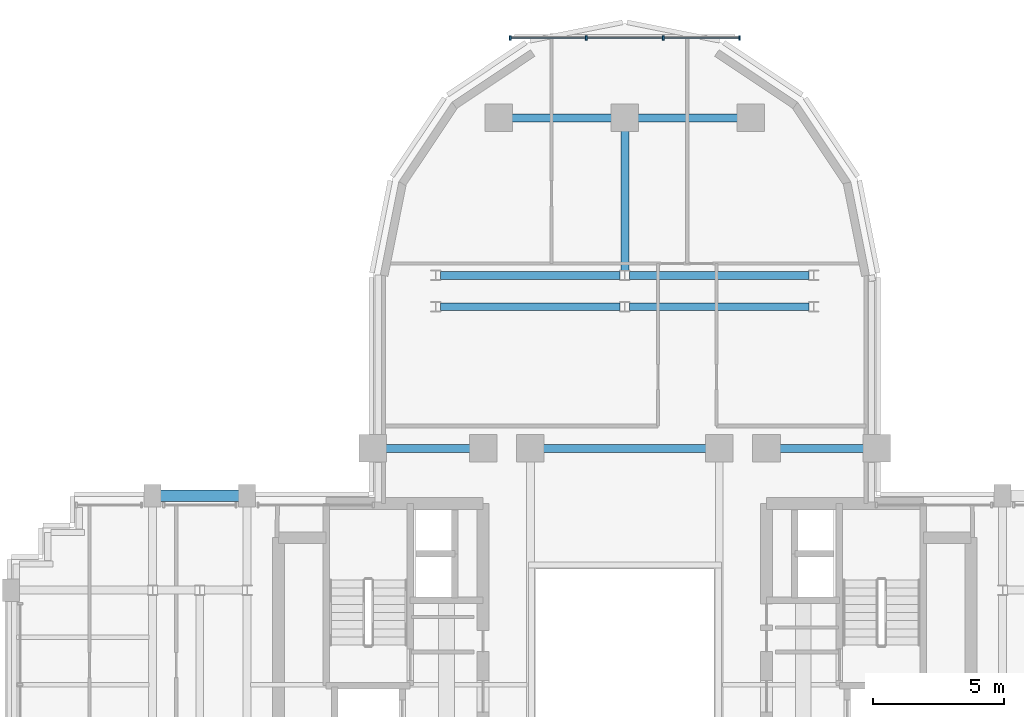
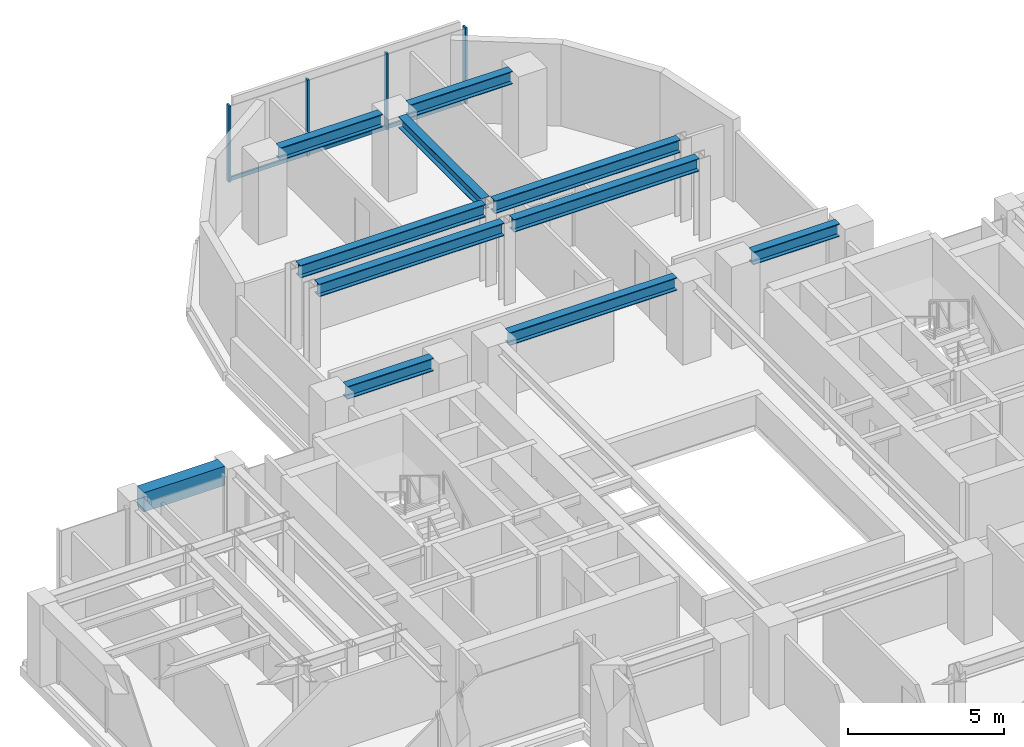
# One storey, part 6 of 14: 11 beams, 7 members, 1 element without a shape of its own.
"""IFC4 building model written with IfcOpenShell, lengths in metres."""

from ifc_helpers import new_model, si_unit, direction, frame, origin, origin_2d, place, context, subcontext, project, spatial, rectangle, i_section, extrude, source, transform, mapped, material, material_profile, profile_set, type_object, element, aggregate, save


model = new_model("IFC4")

# Units and contexts
model_context = context("Model", 3, precision=1e-05, world=origin(), true_north=direction((0.0, 1.0)))
body_context = subcontext(model_context, "Body", "Model", "MODEL_VIEW")
ifc_project = project(units=[si_unit("LENGTHUNIT", "METRE"), si_unit("AREAUNIT", "SQUARE_METRE"), si_unit("VOLUMEUNIT", "CUBIC_METRE"), si_unit("PLANEANGLEUNIT", "RADIAN"), si_unit("MASSUNIT", "GRAM", prefix="KILO")], contexts=[model_context])

# Site, building, storey
site_placement = place(None, origin())
site = spatial("IfcSite", under=ifc_project, at=site_placement, CompositionType="ELEMENT")
building_placement = place(site_placement, origin())
building = spatial("IfcBuilding", under=site, at=building_placement, Name="Keilestroom Media Tower", CompositionType="ELEMENT")
storey_placement = place(building_placement, frame((0.0, 0.0, 124.39990234375)))
storey = spatial("IfcBuildingStorey", under=building, at=storey_placement, Name="L33", CompositionType="ELEMENT", Elevation=124.39990234375)

# Beams
ifc_material_1 = material(Name="Steel S355", Category="steel")
ifc_material_profile_1 = material_profile(ifc_material_1, i_section(OverallWidth=0.300048828125, OverallDepth=0.5, WebThickness=0.012451171875, FlangeThickness=0.028076171875, at=origin_2d()), Name="HEB 500")
ifc_profile_set_1 = profile_set([ifc_material_profile_1], Name="Steel S355")
beam_type_1 = type_object("IfcBeamType", Name="Primary-Structural-Girder-HEB-500", PredefinedType="BEAM", material=ifc_profile_set_1)
shared_shape_1 = source(origin(), body_context, "Body", "SweptSolid", [
    extrude(i_section(OverallWidth=0.300048828125, OverallDepth=0.5, WebThickness=0.012451171875, FlangeThickness=0.028076171875, at=origin_2d()), origin(), (0.0, 0.0, 1.0), 3.7900390625),
])
for number, where, z_axis, x_axis, name in (
    (1, (-4.294921875, 21.60009765625, 2.9501953125), (1.0, 0.0, 0.0), (0.0, 1.0, 0.0), "L33 Beam BG-6 BM-L33-EW-037"),
    (2, (0.5048828125, 21.60009765625, 2.9501953125), (1.0, 0.0, 0.0), (0.0, 1.0, 0.0), "L33 Beam BG-6 BM-L33-EW-038"),
):
    element("IfcBeam", number, at=place(storey_placement, frame(where, z_axis=z_axis, x_axis=x_axis)), inside=storey, type_object=beam_type_1, Name=name, PredefinedType="BEAM", context=body_context, shape_type="MappedRepresentation", body=[
        mapped(shared_shape_1, transform((0.0, 0.0, 0.0), x_axis=(1.0, 0.0, 0.0), y_axis=(0.0, 1.0, 0.0), z_axis=(0.0, 0.0, 1.0), scale=1.0)),
    ])
shared_shape_2 = source(origin(), body_context, "Body", "SweptSolid", [
    extrude(i_section(OverallWidth=0.300048828125, OverallDepth=0.5, WebThickness=0.012451171875, FlangeThickness=0.028076171875, at=origin_2d()), origin(), (0.0, 0.0, 1.0), 6.839111328125),
])
for number, where, z_axis, x_axis, name in (
    (3, (-7.01953125, 14.39990234375, 2.9501953125), (1.0, 0.0, 0.0), (0.0, 1.0, 0.0), "L33 Beam BG-6 BM-L33-EW-033"),
    (4, (0.180419921875, 14.39990234375, 2.9501953125), (1.0, 0.0, 0.0), (0.0, 1.0, 0.0), "L33 Beam BG-6 BM-L33-EW-034"),
    (5, (-7.01953125, 15.60009765625, 2.9501953125), (1.0, 0.0, 0.0), (0.0, 1.0, 0.0), "L33 Beam BG-6 BM-L33-EW-035"),
    (6, (0.180419921875, 15.60009765625, 2.9501953125), (1.0, 0.0, 0.0), (0.0, 1.0, 0.0), "L33 Beam BG-6 BM-L33-EW-036"),
):
    element("IfcBeam", number, at=place(storey_placement, frame(where, z_axis=z_axis, x_axis=x_axis)), inside=storey, type_object=beam_type_1, Name=name, PredefinedType="BEAM", context=body_context, shape_type="MappedRepresentation", body=[
        mapped(shared_shape_2, transform((0.0, 0.0, 0.0), x_axis=(1.0, 0.0, 0.0), y_axis=(0.0, 1.0, 0.0), z_axis=(0.0, 0.0, 1.0), scale=1.0)),
    ])
shared_shape_3 = source(origin(), body_context, "Body", "SweptSolid", [
    extrude(i_section(OverallWidth=0.300048828125, OverallDepth=0.5, WebThickness=0.012451171875, FlangeThickness=0.028076171875, at=origin_2d()), origin(), (0.0, 0.0, 1.0), 3.18994140625),
])
for number, where, z_axis, x_axis, name in (
    (7, (-9.094970703125, 9.0, 2.9501953125), (1.0, 0.0, 0.0), (0.0, 1.0, 0.0), "L33 Beam BG-6 BM-L33-EW-028"),
    (8, (5.905029296875, 9.0, 2.9501953125), (1.0, 0.0, 0.0), (0.0, 1.0, 0.0), "L33 Beam BG-6 BM-L33-EW-032"),
):
    element("IfcBeam", number, at=place(storey_placement, frame(where, z_axis=z_axis, x_axis=x_axis)), inside=storey, type_object=beam_type_1, Name=name, PredefinedType="BEAM", context=body_context, shape_type="MappedRepresentation", body=[
        mapped(shared_shape_3, transform((0.0, 0.0, 0.0), x_axis=(1.0, 0.0, 0.0), y_axis=(0.0, 1.0, 0.0), z_axis=(0.0, 0.0, 1.0), scale=1.0)),
    ])
shared_shape_4 = source(origin(), body_context, "Body", "SweptSolid", [
    extrude(i_section(OverallWidth=0.300048828125, OverallDepth=0.5, WebThickness=0.012451171875, FlangeThickness=0.028076171875, at=origin_2d()), origin(), (0.0, 0.0, 1.0), 6.18994140625),
])
beam_1_placement = place(storey_placement, frame((-3.094970703125, 9.0, 2.9501953125), z_axis=(1.0, 0.0, 0.0), x_axis=(0.0, 1.0, 0.0)))
element("IfcBeam", 9, at=beam_1_placement, inside=storey, type_object=beam_type_1, Name="L33 Beam BG-6 BM-L33-EW-030", PredefinedType="BEAM", context=body_context, shape_type="MappedRepresentation", body=[
    mapped(shared_shape_4, transform((0.0, 0.0, 0.0), x_axis=(1.0, 0.0, 0.0), y_axis=(0.0, 1.0, 0.0), z_axis=(0.0, 0.0, 1.0), scale=1.0)),
])
ifc_material_2 = material(Name="Precast concrete C40/50", Category="concrete")
ifc_material_profile_2 = material_profile(ifc_material_2, rectangle(XDim=0.449951171875, YDim=0.75, at=origin_2d()), Name="PC 450x750")
ifc_profile_set_2 = profile_set([ifc_material_profile_2], Name="Precast concrete C40/50")
beam_type_2 = type_object("IfcBeamType", Name="Perimeter-Spandrel-Beam-PC-450x750", PredefinedType="SPANDREL", material=ifc_profile_set_2)
shared_shape_5 = source(origin(), body_context, "Body", "SweptSolid", [
    extrude(rectangle(XDim=0.449951171875, YDim=0.75, at=origin_2d()), origin(), (0.0, 0.0, 1.0), 2.989990234375),
])
beam_2_placement = place(storey_placement, frame((-17.695068359375, 7.199951171875, 2.8251953125), z_axis=(1.0, 0.0, 0.0), x_axis=(0.0, 1.0, 0.0)))
element("IfcBeam", 10, at=beam_2_placement, inside=storey, type_object=beam_type_2, Name="L33 Beam SPB-1 BM-L33-EW-026", PredefinedType="SPANDREL", context=body_context, shape_type="MappedRepresentation", body=[
    mapped(shared_shape_5, transform((0.0, 0.0, 0.0), x_axis=(1.0, 0.0, 0.0), y_axis=(0.0, 1.0, 0.0), z_axis=(0.0, 0.0, 1.0), scale=1.0)),
])
ifc_material_profile_3 = material_profile(ifc_material_1, i_section(OverallWidth=0.300048828125, OverallDepth=0.43994140625, WebThickness=0.011474609375, FlangeThickness=0.02099609375, at=origin_2d()), Name="HEA 450")
ifc_profile_set_3 = profile_set([ifc_material_profile_3], Name="Steel S355")
beam_type_3 = type_object("IfcBeamType", Name="Primary-Structural-Girder-HEA-450", PredefinedType="BEAM", material=ifc_profile_set_3)
shared_shape_6 = source(origin(), body_context, "Body", "SweptSolid", [
    extrude(i_section(OverallWidth=0.300048828125, OverallDepth=0.43994140625, WebThickness=0.011474609375, FlangeThickness=0.02099609375, at=origin_2d()), origin(), (0.0, 0.0, 1.0), 5.3154296875),
])
beam_3_placement = place(storey_placement, frame((0.0, 15.779541015625, 2.97998046875), z_axis=(0.0, 1.0, 0.0), x_axis=(-1.0, 0.0, 0.0)))
element("IfcBeam", 11, at=beam_3_placement, inside=storey, type_object=beam_type_3, Name="L33 Beam BG-11 BM-L33-NS-055", PredefinedType="BEAM", context=body_context, shape_type="MappedRepresentation", body=[
    mapped(shared_shape_6, transform((0.0, 0.0, 0.0), x_axis=(1.0, 0.0, 0.0), y_axis=(0.0, 1.0, 0.0), z_axis=(0.0, 0.0, 1.0), scale=1.0)),
])

# Curtain wall, members
ifc_material_3 = material(Name="Anodised Aluminium Alloy", Category="aluminium")
curtain_wall_type = type_object("IfcCurtainWallType", Name="Unitised-Curtain-Wall-CW-6", PredefinedType="NOTDEFINED", material=ifc_material_3)
curtain_wall_placement = place(storey_placement, origin())
curtain_wall = element("IfcCurtainWall", 12, at=curtain_wall_placement, inside=storey, type_object=curtain_wall_type, Name="L33 Curtain Wall CW-6 CW-L33-LN-1", PredefinedType="NOTDEFINED")
ifc_material_profile_4 = material_profile(ifc_material_3, rectangle(XDim=0.06494140625, YDim=0.179931640625, at=origin_2d()), Name="ALU MULLION 65x180")
ifc_profile_set_4 = profile_set([ifc_material_profile_4], Name="Anodised Aluminium Alloy")
member_type_1 = type_object("IfcMemberType", Name="Curtain-Wall-Mullion-CW-6", PredefinedType="MULLION", material=ifc_profile_set_4)
shared_shape_7 = source(origin(), body_context, "Body", "SweptSolid", [
    extrude(rectangle(XDim=0.06494140625, YDim=0.179931640625, at=origin_2d()), origin(), (0.0, 0.0, 1.0), 2.97998046875),
])
member_1_placement = place(storey_placement, frame((-4.367431640625, 24.64990234375, 0.0), z_axis=(0.0, 0.0, 1.0), x_axis=(1.0, 0.0, 0.0)))
member_1 = element("IfcMember", 13, at=member_1_placement, type_object=member_type_1, Name="CW-6 Mullion 00", PredefinedType="MULLION", context=body_context, shape_type="MappedRepresentation", body=[
    mapped(shared_shape_7, transform((0.0, 0.0, 0.0), x_axis=(1.0, 0.0, 0.0), y_axis=(0.0, 1.0, 0.0), z_axis=(0.0, 0.0, 1.0), scale=1.0)),
])
member_2_placement = place(storey_placement, frame((-1.466796875, 24.64990234375, 0.0), z_axis=(0.0, 0.0, 1.0), x_axis=(1.0, 0.0, 0.0)))
member_2 = element("IfcMember", 14, at=member_2_placement, type_object=member_type_1, Name="CW-6 Mullion 01", PredefinedType="MULLION", context=body_context, shape_type="MappedRepresentation", body=[
    mapped(shared_shape_7, transform((0.0, 0.0, 0.0), x_axis=(1.0, 0.0, 0.0), y_axis=(0.0, 1.0, 0.0), z_axis=(0.0, 0.0, 1.0), scale=1.0)),
])
member_3_placement = place(storey_placement, frame((1.466796875, 24.64990234375, 0.0), z_axis=(0.0, 0.0, 1.0), x_axis=(1.0, 0.0, 0.0)))
member_3 = element("IfcMember", 15, at=member_3_placement, type_object=member_type_1, Name="CW-6 Mullion 02", PredefinedType="MULLION", context=body_context, shape_type="MappedRepresentation", body=[
    mapped(shared_shape_7, transform((0.0, 0.0, 0.0), x_axis=(1.0, 0.0, 0.0), y_axis=(0.0, 1.0, 0.0), z_axis=(0.0, 0.0, 1.0), scale=1.0)),
])
member_4_placement = place(storey_placement, frame((4.367431640625, 24.64990234375, 0.0), z_axis=(0.0, 0.0, 1.0), x_axis=(1.0, 0.0, 0.0)))
member_4 = element("IfcMember", 16, at=member_4_placement, type_object=member_type_1, Name="CW-6 Mullion 03", PredefinedType="MULLION", context=body_context, shape_type="MappedRepresentation", body=[
    mapped(shared_shape_7, transform((0.0, 0.0, 0.0), x_axis=(1.0, 0.0, 0.0), y_axis=(0.0, 1.0, 0.0), z_axis=(0.0, 0.0, 1.0), scale=1.0)),
])
ifc_material_profile_5 = material_profile(ifc_material_3, rectangle(XDim=0.06494140625, YDim=0.14990234375, at=origin_2d()), Name="ALU TRANSOM 65x150")
ifc_profile_set_5 = profile_set([ifc_material_profile_5], Name="Anodised Aluminium Alloy")
member_type_2 = type_object("IfcMemberType", Name="Curtain-Wall-Transom-CW-6", PredefinedType="USERDEFINED", material=ifc_profile_set_5)
shared_shape_8 = source(origin(), body_context, "Body", "SweptSolid", [
    extrude(rectangle(XDim=0.06494140625, YDim=0.14990234375, at=origin_2d()), origin(), (0.0, 0.0, 1.0), 2.839599609375),
])
member_5_placement = place(storey_placement, frame((-4.3369140625, 24.64990234375, 0.0751953125), z_axis=(1.0, 0.0, 0.0), x_axis=(0.0, 1.0, 0.0)))
member_5 = element("IfcMember", 17, at=member_5_placement, type_object=member_type_2, Name="CW-6 Transom 00.1", ObjectType="TRANSOM", PredefinedType="USERDEFINED", context=body_context, shape_type="MappedRepresentation", body=[
    mapped(shared_shape_8, transform((0.0, 0.0, 0.0), x_axis=(1.0, 0.0, 0.0), y_axis=(0.0, 1.0, 0.0), z_axis=(0.0, 0.0, 1.0), scale=1.0)),
])
member_6_placement = place(storey_placement, frame((1.497314453125, 24.64990234375, 0.0751953125), z_axis=(1.0, 0.0, 0.0), x_axis=(0.0, 1.0, 0.0)))
member_6 = element("IfcMember", 18, at=member_6_placement, type_object=member_type_2, Name="CW-6 Transom 02.1", ObjectType="TRANSOM", PredefinedType="USERDEFINED", context=body_context, shape_type="MappedRepresentation", body=[
    mapped(shared_shape_8, transform((0.0, 0.0, 0.0), x_axis=(1.0, 0.0, 0.0), y_axis=(0.0, 1.0, 0.0), z_axis=(0.0, 0.0, 1.0), scale=1.0)),
])
shared_shape_9 = source(origin(), body_context, "Body", "SweptSolid", [
    extrude(rectangle(XDim=0.06494140625, YDim=0.14990234375, at=origin_2d()), origin(), (0.0, 0.0, 1.0), 2.87255859375),
])
member_7_placement = place(storey_placement, frame((-1.436279296875, 24.64990234375, 0.0751953125), z_axis=(1.0, 0.0, 0.0), x_axis=(0.0, 1.0, 0.0)))
member_7 = element("IfcMember", 19, at=member_7_placement, type_object=member_type_2, Name="CW-6 Transom 01.1", ObjectType="TRANSOM", PredefinedType="USERDEFINED", context=body_context, shape_type="MappedRepresentation", body=[
    mapped(shared_shape_9, transform((0.0, 0.0, 0.0), x_axis=(1.0, 0.0, 0.0), y_axis=(0.0, 1.0, 0.0), z_axis=(0.0, 0.0, 1.0), scale=1.0)),
])
aggregate(curtain_wall, [member_1, member_2, member_3, member_4, member_5, member_7, member_6])

save(model, "model.ifc")
